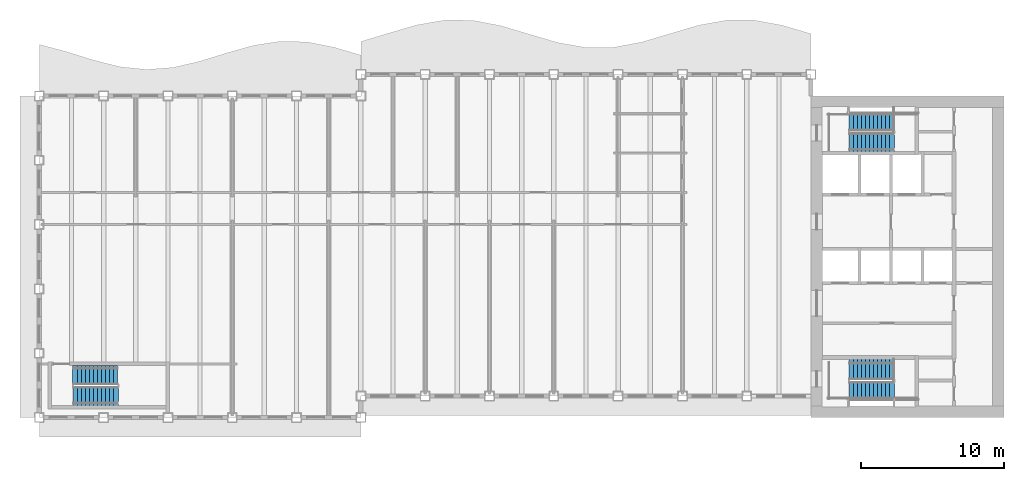
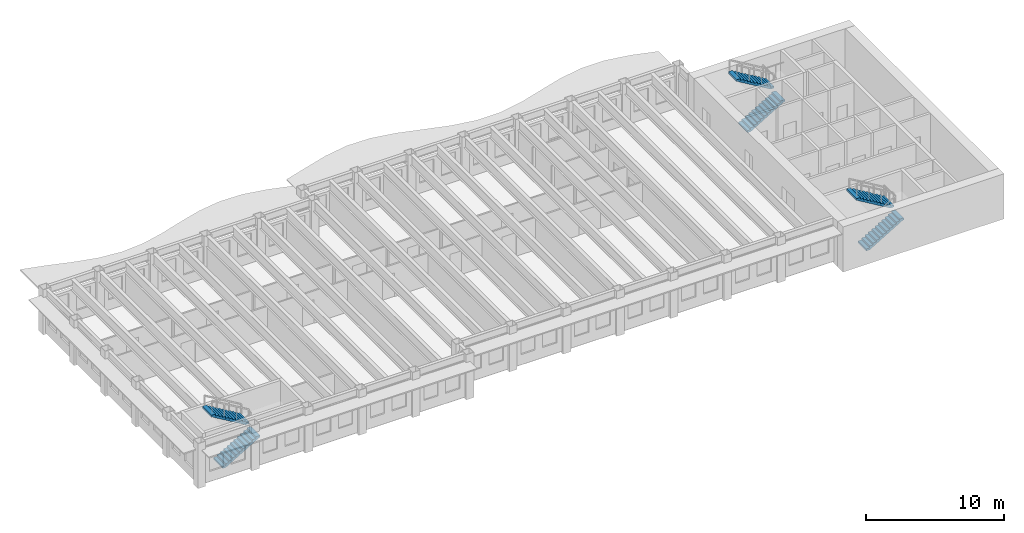
# One storey, part 7 of 12: 6 stair flights, 3 elements without a shape of their own.
"""IFC4 building model written with IfcOpenShell, lengths in metres."""

from ifc_helpers import new_model, si_unit, direction, frame, origin, place, context, subcontext, project, spatial, polyline, outline, extrude, material, type_object, element, aggregate, save


model = new_model("IFC4")

# Units and contexts
model_context = context("Model", 3, precision=1e-05, world=origin(), true_north=direction((0.0, 1.0)))
body_context = subcontext(model_context, "Body", "Model", "MODEL_VIEW")
ifc_project = project(units=[si_unit("LENGTHUNIT", "METRE"), si_unit("AREAUNIT", "SQUARE_METRE"), si_unit("VOLUMEUNIT", "CUBIC_METRE"), si_unit("PLANEANGLEUNIT", "RADIAN"), si_unit("MASSUNIT", "GRAM", prefix="KILO")], contexts=[model_context])

# Site, building, storey
site_placement = place(None, origin())
site = spatial("IfcSite", under=ifc_project, at=site_placement, CompositionType="ELEMENT")
building_placement = place(site_placement, origin())
building = spatial("IfcBuilding", under=site, at=building_placement, Name="Sennacour Bend Tower", CompositionType="ELEMENT")
storey_placement = place(building_placement, frame((0.0, 0.0, 281.0)))
storey = spatial("IfcBuildingStorey", under=building, at=storey_placement, Name="L65", CompositionType="ELEMENT", Elevation=281.0)

# Stair, stair flights
ifc_material = material(Name="Concrete C40/50", Category="concrete")
stair_type = type_object("IfcStairType", Name="ST-DOGLEG", PredefinedType="HALF_TURN_STAIR", material=ifc_material)
stair_1_placement = place(storey_placement, origin())
stair_1 = element("IfcStair", 1, at=stair_1_placement, inside=storey, type_object=stair_type, Name="L65 Exit stair A1", PredefinedType="HALF_TURN_STAIR")
stair_flight_type = type_object("IfcStairFlightType", Name="SFL-RC", PredefinedType="STRAIGHT", material=ifc_material)
stair_flight_1_placement = place(storey_placement, frame((56.699951171875, 1.89990234375, 0.0), z_axis=(0.0, 0.0, 1.0), x_axis=(1.0, 0.0, 0.0)))
stair_flight_1 = element("IfcStairFlight", 2, at=stair_flight_1_placement, type_object=stair_flight_type, Name="SA1 flight 1", NumberOfRisers=12, NumberOfTreads=11, PredefinedType="STRAIGHT", RiserHeight=0.166666667, TreadLength=0.28, context=body_context, shape_type="SweptSolid", body=[
    extrude(outline(polyline([(0.0, 0.0), (0.0, 0.166748046875), (0.280029296875, 0.166748046875), (0.280029296875, 0.333251953125), (0.56005859375, 0.333251953125), (0.56005859375, 0.5), (0.840087890625, 0.5), (0.840087890625, 0.666748046875), (1.1201171875, 0.666748046875), (1.1201171875, 0.833251953125), (1.39990234375, 0.833251953125), (1.39990234375, 1.0), (1.679931640625, 1.0), (1.679931640625, 1.166748046875), (1.9599609375, 1.166748046875), (1.9599609375, 1.333251953125), (2.239990234375, 1.333251953125), (2.239990234375, 1.5), (2.52001953125, 1.5), (2.52001953125, 1.666748046875), (2.800048828125, 1.666748046875), (2.800048828125, 1.833251953125), (3.080078125, 1.833251953125), (3.139892578125, 1.833251953125), (3.139892578125, 1.658935546875), (3.080078125, 1.658935546875), (0.29296875, 0.0), (0.0, 0.0)])), frame((0.0, 0.60009765625, 0.0), z_axis=(0.0, -1.0, 0.0), x_axis=(1.0, 0.0, 0.0)), (0.0, 0.0, 1.0), 1.199951171875),
])
stair_flight_2_placement = place(storey_placement, frame((59.780029296875, 3.37744140625, 2.0), z_axis=(0.0, 0.0, 1.0), x_axis=(-1.0, 0.0, 0.0)))
stair_flight_2 = element("IfcStairFlight", 3, at=stair_flight_2_placement, type_object=stair_flight_type, Name="SA1 flight 2", NumberOfRisers=12, NumberOfTreads=11, PredefinedType="STRAIGHT", RiserHeight=0.166666667, TreadLength=0.28, context=body_context, shape_type="SweptSolid", body=[
    extrude(outline(polyline([(0.0, 0.0), (0.0, 0.166748046875), (0.280029296875, 0.166748046875), (0.280029296875, 0.333251953125), (0.56005859375, 0.333251953125), (0.56005859375, 0.5), (0.840087890625, 0.5), (0.840087890625, 0.666748046875), (1.1201171875, 0.666748046875), (1.1201171875, 0.833251953125), (1.39990234375, 0.833251953125), (1.39990234375, 1.0), (1.679931640625, 1.0), (1.679931640625, 1.166748046875), (1.9599609375, 1.166748046875), (1.9599609375, 1.333251953125), (2.239990234375, 1.333251953125), (2.239990234375, 1.5), (2.52001953125, 1.5), (2.52001953125, 1.666748046875), (2.800048828125, 1.666748046875), (2.800048828125, 1.833251953125), (3.080078125, 1.833251953125), (3.139892578125, 1.833251953125), (3.139892578125, 1.658935546875), (3.080078125, 1.658935546875), (0.29296875, 0.0), (0.0, 0.0)])), frame((0.0, 0.7275390625, 0.0), z_axis=(0.0, -1.0, 0.0), x_axis=(1.0, 0.0, 0.0)), (0.0, 0.0, 1.0), 1.455078125),
])
aggregate(stair_1, [stair_flight_1, stair_flight_2])

stair_2_placement = place(storey_placement, origin())
stair_2 = element("IfcStair", 4, at=stair_2_placement, inside=storey, type_object=stair_type, Name="L65 Exit stair A2", PredefinedType="HALF_TURN_STAIR")
stair_flight_3_placement = place(storey_placement, frame((56.699951171875, 19.24755859375, 0.0), z_axis=(0.0, 0.0, 1.0), x_axis=(1.0, 0.0, 0.0)))
stair_flight_3 = element("IfcStairFlight", 5, at=stair_flight_3_placement, type_object=stair_flight_type, Name="SA2 flight 1", NumberOfRisers=12, NumberOfTreads=11, PredefinedType="STRAIGHT", RiserHeight=0.166666667, TreadLength=0.28, context=body_context, shape_type="SweptSolid", body=[
    extrude(outline(polyline([(0.0, 0.0), (0.0, 0.166748046875), (0.280029296875, 0.166748046875), (0.280029296875, 0.333251953125), (0.56005859375, 0.333251953125), (0.56005859375, 0.5), (0.840087890625, 0.5), (0.840087890625, 0.666748046875), (1.1201171875, 0.666748046875), (1.1201171875, 0.833251953125), (1.39990234375, 0.833251953125), (1.39990234375, 1.0), (1.679931640625, 1.0), (1.679931640625, 1.166748046875), (1.9599609375, 1.166748046875), (1.9599609375, 1.333251953125), (2.239990234375, 1.333251953125), (2.239990234375, 1.5), (2.52001953125, 1.5), (2.52001953125, 1.666748046875), (2.800048828125, 1.666748046875), (2.800048828125, 1.833251953125), (3.080078125, 1.833251953125), (3.139892578125, 1.833251953125), (3.139892578125, 1.658935546875), (3.080078125, 1.658935546875), (0.29296875, 0.0), (0.0, 0.0)])), frame((0.0, 0.65234375, 0.0), z_axis=(0.0, -1.0, 0.0), x_axis=(1.0, 0.0, 0.0)), (0.0, 0.0, 1.0), 1.304931640625),
])
stair_flight_4_placement = place(storey_placement, frame((59.780029296875, 20.64990234375, 2.0), z_axis=(0.0, 0.0, 1.0), x_axis=(-1.0, 0.0, 0.0)))
stair_flight_4 = element("IfcStairFlight", 6, at=stair_flight_4_placement, type_object=stair_flight_type, Name="SA2 flight 2", NumberOfRisers=12, NumberOfTreads=11, PredefinedType="STRAIGHT", RiserHeight=0.166666667, TreadLength=0.28, context=body_context, shape_type="SweptSolid", body=[
    extrude(outline(polyline([(0.0, 0.0), (0.0, 0.166748046875), (0.280029296875, 0.166748046875), (0.280029296875, 0.333251953125), (0.56005859375, 0.333251953125), (0.56005859375, 0.5), (0.840087890625, 0.5), (0.840087890625, 0.666748046875), (1.1201171875, 0.666748046875), (1.1201171875, 0.833251953125), (1.39990234375, 0.833251953125), (1.39990234375, 1.0), (1.679931640625, 1.0), (1.679931640625, 1.166748046875), (1.9599609375, 1.166748046875), (1.9599609375, 1.333251953125), (2.239990234375, 1.333251953125), (2.239990234375, 1.5), (2.52001953125, 1.5), (2.52001953125, 1.666748046875), (2.800048828125, 1.666748046875), (2.800048828125, 1.833251953125), (3.080078125, 1.833251953125), (3.139892578125, 1.833251953125), (3.139892578125, 1.658935546875), (3.080078125, 1.658935546875), (0.29296875, 0.0), (0.0, 0.0)])), frame((0.0, 0.60009765625, 0.0), z_axis=(0.0, -1.0, 0.0), x_axis=(1.0, 0.0, 0.0)), (0.0, 0.0, 1.0), 1.199951171875),
])
aggregate(stair_2, [stair_flight_3, stair_flight_4])

stair_3_placement = place(storey_placement, origin())
stair_3 = element("IfcStair", 7, at=stair_3_placement, inside=storey, type_object=stair_type, Name="L65 Exit stair K1", PredefinedType="HALF_TURN_STAIR")
stair_flight_5_placement = place(storey_placement, frame((2.39990234375, 1.485107421875, 0.0), z_axis=(0.0, 0.0, 1.0), x_axis=(1.0, 0.0, 0.0)))
stair_flight_5 = element("IfcStairFlight", 8, at=stair_flight_5_placement, type_object=stair_flight_type, Name="SK1 flight 1", NumberOfRisers=12, NumberOfTreads=11, PredefinedType="STRAIGHT", RiserHeight=0.166666667, TreadLength=0.28, context=body_context, shape_type="SweptSolid", body=[
    extrude(outline(polyline([(0.0, 0.0), (0.0, 0.166748046875), (0.280029296875, 0.166748046875), (0.280029296875, 0.333251953125), (0.56005859375, 0.333251953125), (0.56005859375, 0.5), (0.840087890625, 0.5), (0.840087890625, 0.666748046875), (1.1201171875, 0.666748046875), (1.1201171875, 0.833251953125), (1.39990234375, 0.833251953125), (1.39990234375, 1.0), (1.679931640625, 1.0), (1.679931640625, 1.166748046875), (1.9599609375, 1.166748046875), (1.9599609375, 1.333251953125), (2.239990234375, 1.333251953125), (2.239990234375, 1.5), (2.52001953125, 1.5), (2.52001953125, 1.666748046875), (2.800048828125, 1.666748046875), (2.800048828125, 1.833251953125), (3.080078125, 1.833251953125), (3.139892578125, 1.833251953125), (3.139892578125, 1.658935546875), (3.080078125, 1.658935546875), (0.29296875, 0.0), (0.0, 0.0)])), frame((0.0, 0.6650390625, 0.0), z_axis=(0.0, -1.0, 0.0), x_axis=(1.0, 0.0, 0.0)), (0.0, 0.0, 1.0), 1.330078125),
])
stair_flight_6_placement = place(storey_placement, frame((5.47998046875, 2.9775390625, 2.0), z_axis=(0.0, 0.0, 1.0), x_axis=(-1.0, 0.0, 0.0)))
stair_flight_6 = element("IfcStairFlight", 9, at=stair_flight_6_placement, type_object=stair_flight_type, Name="SK1 flight 2", NumberOfRisers=12, NumberOfTreads=11, PredefinedType="STRAIGHT", RiserHeight=0.166666667, TreadLength=0.28, context=body_context, shape_type="SweptSolid", body=[
    extrude(outline(polyline([(0.0, 0.0), (0.0, 0.166748046875), (0.280029296875, 0.166748046875), (0.280029296875, 0.333251953125), (0.56005859375, 0.333251953125), (0.56005859375, 0.5), (0.840087890625, 0.5), (0.840087890625, 0.666748046875), (1.1201171875, 0.666748046875), (1.1201171875, 0.833251953125), (1.39990234375, 0.833251953125), (1.39990234375, 1.0), (1.679931640625, 1.0), (1.679931640625, 1.166748046875), (1.9599609375, 1.166748046875), (1.9599609375, 1.333251953125), (2.239990234375, 1.333251953125), (2.239990234375, 1.5), (2.52001953125, 1.5), (2.52001953125, 1.666748046875), (2.800048828125, 1.666748046875), (2.800048828125, 1.833251953125), (3.080078125, 1.833251953125), (3.139892578125, 1.833251953125), (3.139892578125, 1.658935546875), (3.080078125, 1.658935546875), (0.29296875, 0.0), (0.0, 0.0)])), frame((0.0, 0.677490234375, 0.0), z_axis=(0.0, -1.0, 0.0), x_axis=(1.0, 0.0, 0.0)), (0.0, 0.0, 1.0), 1.35498046875),
])
aggregate(stair_3, [stair_flight_5, stair_flight_6])

save(model, "model.ifc")
